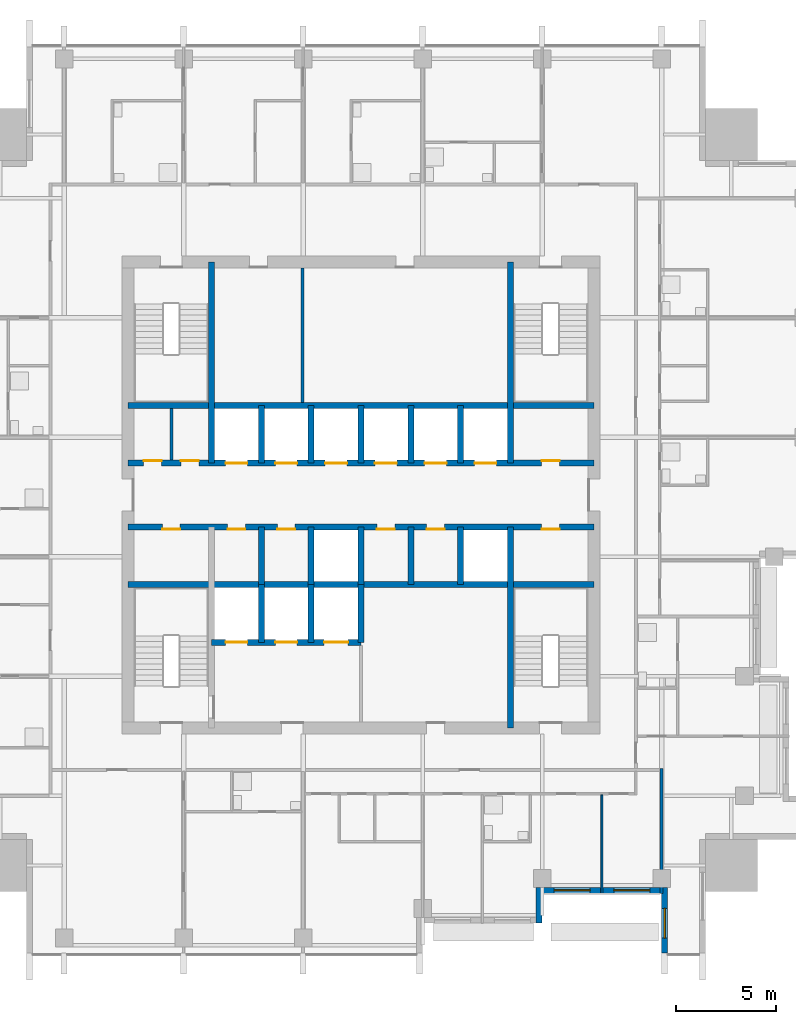
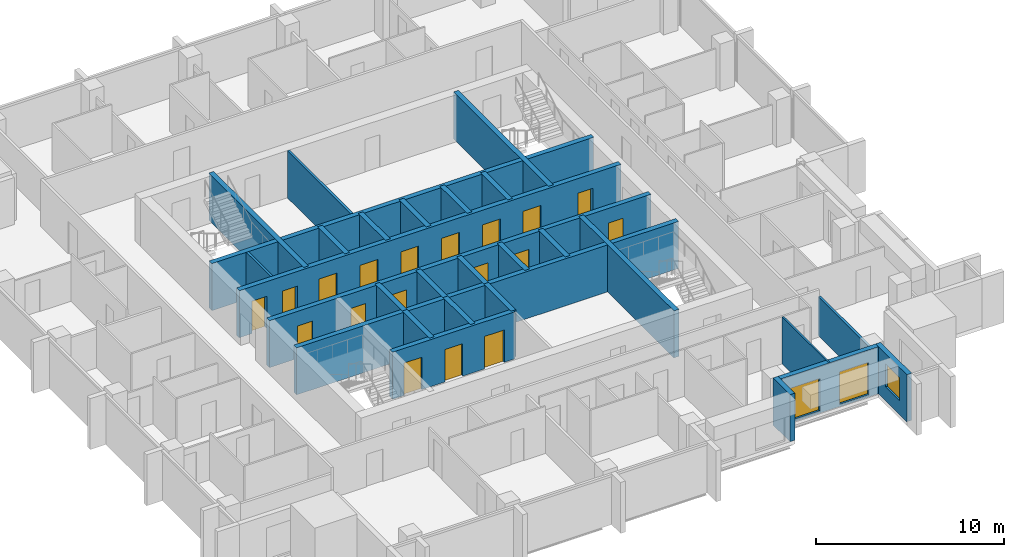
# One storey, part 5 of 10: 28 walls, 18 doors, 3 windows, 21 openings.
"""IFC4 building model written with IfcOpenShell, lengths in metres."""

from ifc_helpers import new_model, si_unit, direction, frame, frame_2d, origin, place, context, subcontext, project, spatial, rectangle, extrude, material, layer, layer_set, type_object, element, fill, save


model = new_model("IFC4")

# Units and contexts
model_context = context("Model", 3, precision=1e-05, world=origin(), true_north=direction((0.0, 1.0)))
body_context = subcontext(model_context, "Body", "Model", "MODEL_VIEW")
ifc_project = project(units=[si_unit("LENGTHUNIT", "METRE"), si_unit("AREAUNIT", "SQUARE_METRE"), si_unit("VOLUMEUNIT", "CUBIC_METRE"), si_unit("PLANEANGLEUNIT", "RADIAN"), si_unit("MASSUNIT", "GRAM", prefix="KILO")], contexts=[model_context])

# Site, building, storey
site_placement = place(None, origin())
site = spatial("IfcSite", under=ifc_project, at=site_placement, CompositionType="ELEMENT")
building_placement = place(site_placement, origin())
building = spatial("IfcBuilding", under=site, at=building_placement, Name="Amberfall Residences", CompositionType="ELEMENT")
storey_placement = place(building_placement, frame((0.0, 0.0, 203.5)))
storey = spatial("IfcBuildingStorey", under=building, at=storey_placement, Name="L54", CompositionType="ELEMENT", Elevation=203.5)

# Wall
ifc_material_1 = material(Name="Pale stone cladding on insulated backing", Category="masonry")
ifc_layer_1 = layer(ifc_material_1, 0.300048828125)
ifc_layer_set_1 = layer_set([ifc_layer_1], Name="Bronze clad wall 300")
wall_type_1 = type_object("IfcWallType", Name="Bronze clad wall 300", PredefinedType="SOLIDWALL", material=ifc_layer_set_1)
wall_1_placement = place(storey_placement, frame((83.449951171875, 24.0, 0.0), z_axis=(0.0, 0.0, 1.0), x_axis=(0.0, 1.0, 0.0)))
element("IfcWall", 1, at=wall_1_placement, inside=storey, type_object=wall_type_1, Name="External wall L54 S", PredefinedType="SOLIDWALL", context=body_context, shape_type="SweptSolid", body=[
    extrude(rectangle(XDim=1.800048828125, YDim=0.300048828125, at=frame_2d((0.89990234375, 0.0))), origin(), (0.0, 0.0, 1.0), 3.050048828125),
])

# Wall, opening, window
wall_2_placement = place(storey_placement, frame((89.75, 25.800048828125, 0.0), z_axis=(0.0, 0.0, 1.0), x_axis=(0.0, -1.0, 0.0)))
wall_2 = element("IfcWall", 2, at=wall_2_placement, inside=storey, type_object=wall_type_1, Name="External wall L54 S", PredefinedType="SOLIDWALL", context=body_context, shape_type="SweptSolid", body=[
    extrude(rectangle(XDim=3.300048828125, YDim=0.300048828125, at=frame_2d((1.64990234375, 0.0))), origin(), (0.0, 0.0, 1.0), 3.050048828125),
])
opening_1_placement = place(wall_2_placement, frame((1.050048828125, 0.0, 0.89990234375)))
opening_1 = element("IfcOpeningElement", 3, at=opening_1_placement, cuts=wall_2, Name="Opening WN1", PredefinedType="OPENING", context=body_context, shape_type="SweptSolid", body=[
    extrude(rectangle(XDim=1.5, YDim=1.5, at=frame_2d((0.75, 0.75))), frame((0.0, 0.159912109375, 0.0), z_axis=(0.0, -1.0, 0.0), x_axis=(1.0, 0.0, 0.0)), (0.0, 0.0, 1.0), 0.320068359375),
])
ifc_material_2 = material(Name="Bronze aluminium framed glazing", Category="aluminium")
window_type_1 = type_object("IfcWindowType", Name="Window 1500 x 1500 bronze", PartitioningType="DOUBLE_PANEL_VERTICAL", PredefinedType="WINDOW", material=ifc_material_2)
window_1_placement = place(opening_1_placement, origin())
window_1 = element("IfcWindow", 4, at=window_1_placement, inside=storey, type_object=window_type_1, Name="Window L54 S", OverallHeight=1.5, OverallWidth=1.5, PartitioningType="DOUBLE_PANEL_VERTICAL", PredefinedType="WINDOW", context=body_context, shape_type="SweptSolid", body=[
    extrude(rectangle(XDim=1.5, YDim=1.5, at=frame_2d((0.75, 0.75))), frame((0.0, 0.030029296875, 0.0), z_axis=(0.0, -1.0, 0.0), x_axis=(1.0, 0.0, 0.0)), (0.0, 0.0, 1.0), 0.06005859375),
])
fill(opening_1, window_1)

# Wall, openings, windows
wall_3_placement = place(storey_placement, frame((83.60009765625, 25.64990234375, 0.0), z_axis=(0.0, 0.0, 1.0), x_axis=(1.0, 0.0, 0.0)))
wall_3 = element("IfcWall", 5, at=wall_3_placement, inside=storey, type_object=wall_type_1, Name="Stone wall L54 S", PredefinedType="SOLIDWALL", context=body_context, shape_type="SweptSolid", body=[
    extrude(rectangle(XDim=6.0, YDim=0.300048828125, at=frame_2d((3.0, 0.0))), origin(), (0.0, 0.0, 1.0), 3.050048828125),
])
opening_2_placement = place(wall_3_placement, frame((0.60009765625, 0.0, 0.14990234375)))
opening_2 = element("IfcOpeningElement", 6, at=opening_2_placement, cuts=wall_3, Name="Opening WN6", PredefinedType="OPENING", context=body_context, shape_type="SweptSolid", body=[
    extrude(rectangle(XDim=1.800048828125, YDim=2.10009765625, at=frame_2d((0.89990234375, 1.050048828125))), frame((0.0, 0.159912109375, 0.0), z_axis=(0.0, -1.0, 0.0), x_axis=(1.0, 0.0, 0.0)), (0.0, 0.0, 1.0), 0.320068359375),
])
opening_3_placement = place(wall_3_placement, frame((3.60009765625, 0.0, 0.14990234375)))
opening_3 = element("IfcOpeningElement", 7, at=opening_3_placement, cuts=wall_3, Name="Opening WN6", PredefinedType="OPENING", context=body_context, shape_type="SweptSolid", body=[
    extrude(rectangle(XDim=1.800048828125, YDim=2.10009765625, at=frame_2d((0.89990234375, 1.050048828125))), frame((0.0, 0.159912109375, 0.0), z_axis=(0.0, -1.0, 0.0), x_axis=(1.0, 0.0, 0.0)), (0.0, 0.0, 1.0), 0.320068359375),
])
window_type_2 = type_object("IfcWindowType", Name="Glazed opening 1800 x 2100 bronze", PartitioningType="DOUBLE_PANEL_VERTICAL", PredefinedType="WINDOW", material=ifc_material_2)
window_2_placement = place(opening_2_placement, origin())
window_2 = element("IfcWindow", 8, at=window_2_placement, inside=storey, type_object=window_type_2, Name="Window L54 S", OverallHeight=2.10009765625, OverallWidth=1.800048828125, PartitioningType="DOUBLE_PANEL_VERTICAL", PredefinedType="WINDOW", context=body_context, shape_type="SweptSolid", body=[
    extrude(rectangle(XDim=1.800048828125, YDim=2.10009765625, at=frame_2d((0.89990234375, 1.050048828125))), frame((0.0, 0.030029296875, 0.0), z_axis=(0.0, -1.0, 0.0), x_axis=(1.0, 0.0, 0.0)), (0.0, 0.0, 1.0), 0.06005859375),
])
fill(opening_2, window_2)
window_3_placement = place(opening_3_placement, origin())
window_3 = element("IfcWindow", 9, at=window_3_placement, inside=storey, type_object=window_type_2, Name="Window L54 S", OverallHeight=2.10009765625, OverallWidth=1.800048828125, PartitioningType="DOUBLE_PANEL_VERTICAL", PredefinedType="WINDOW", context=body_context, shape_type="SweptSolid", body=[
    extrude(rectangle(XDim=1.800048828125, YDim=2.10009765625, at=frame_2d((0.89990234375, 1.050048828125))), frame((0.0, 0.030029296875, 0.0), z_axis=(0.0, -1.0, 0.0), x_axis=(1.0, 0.0, 0.0)), (0.0, 0.0, 1.0), 0.06005859375),
])
fill(opening_3, window_3)

# Wall
ifc_material_3 = material(Name="Concrete C55", Category="concrete")
ifc_layer_2 = layer(ifc_material_3, 0.300048828125)
ifc_layer_set_2 = layer_set([ifc_layer_2], Name="Core wall 300 C55")
wall_type_2 = type_object("IfcWallType", Name="Core wall 300 C55", PredefinedType="SHEAR", material=ifc_layer_set_2)
wall_4_placement = place(storey_placement, frame((62.800048828125, 41.0, 0.0), z_axis=(0.0, 0.0, 1.0), x_axis=(1.0, 0.0, 0.0)))
element("IfcWall", 10, at=wall_4_placement, inside=storey, type_object=wall_type_2, Name="Core wall RW8 L54 H75", PredefinedType="SHEAR", context=body_context, shape_type="SweptSolid", body=[
    extrude(rectangle(XDim=23.39990234375, YDim=0.300048828125, at=frame_2d((11.699951171875, 0.0))), origin(), (0.0, 0.0, 1.0), 3.050048828125),
])

# Wall, openings, doors
wall_5_placement = place(storey_placement, frame((62.800048828125, 43.89990234375, 0.0), z_axis=(0.0, 0.0, 1.0), x_axis=(1.0, 0.0, 0.0)))
wall_5 = element("IfcWall", 11, at=wall_5_placement, inside=storey, type_object=wall_type_2, Name="Core wall RW8 L54 H104", PredefinedType="SHEAR", context=body_context, shape_type="SweptSolid", body=[
    extrude(rectangle(XDim=23.39990234375, YDim=0.300048828125, at=frame_2d((11.699951171875, 0.0))), origin(), (0.0, 0.0, 1.0), 3.050048828125),
])
opening_4_placement = place(wall_5_placement, frame((1.72509765625, 0.0, 0.0)))
opening_4 = element("IfcOpeningElement", 12, at=opening_4_placement, cuts=wall_5, Name="Opening RD1", PredefinedType="OPENING", context=body_context, shape_type="SweptSolid", body=[
    extrude(rectangle(XDim=0.89990234375, YDim=2.10009765625, at=frame_2d((0.449951171875, 1.050048828125))), frame((0.0, 0.159912109375, 0.0), z_axis=(0.0, -1.0, 0.0), x_axis=(1.0, 0.0, 0.0)), (0.0, 0.0, 1.0), 0.320068359375),
])
opening_5_placement = place(wall_5_placement, frame((20.77490234375, 0.0, 0.0)))
opening_5 = element("IfcOpeningElement", 13, at=opening_5_placement, cuts=wall_5, Name="Opening RD1", PredefinedType="OPENING", context=body_context, shape_type="SweptSolid", body=[
    extrude(rectangle(XDim=0.89990234375, YDim=2.10009765625, at=frame_2d((0.449951171875, 1.050048828125))), frame((0.0, 0.159912109375, 0.0), z_axis=(0.0, -1.0, 0.0), x_axis=(1.0, 0.0, 0.0)), (0.0, 0.0, 1.0), 0.320068359375),
])
opening_6_placement = place(wall_5_placement, frame((5.0, 0.0, 0.0)))
opening_6 = element("IfcOpeningElement", 14, at=opening_6_placement, cuts=wall_5, Name="Opening RD1", PredefinedType="OPENING", context=body_context, shape_type="SweptSolid", body=[
    extrude(rectangle(XDim=0.89990234375, YDim=2.10009765625, at=frame_2d((0.449951171875, 1.050048828125))), frame((0.0, 0.159912109375, 0.0), z_axis=(0.0, -1.0, 0.0), x_axis=(1.0, 0.0, 0.0)), (0.0, 0.0, 1.0), 0.320068359375),
])
opening_7_placement = place(wall_5_placement, frame((7.5, 0.0, 0.0)))
opening_7 = element("IfcOpeningElement", 15, at=opening_7_placement, cuts=wall_5, Name="Opening RD1", PredefinedType="OPENING", context=body_context, shape_type="SweptSolid", body=[
    extrude(rectangle(XDim=0.89990234375, YDim=2.10009765625, at=frame_2d((0.449951171875, 1.050048828125))), frame((0.0, 0.159912109375, 0.0), z_axis=(0.0, -1.0, 0.0), x_axis=(1.0, 0.0, 0.0)), (0.0, 0.0, 1.0), 0.320068359375),
])
opening_8_placement = place(wall_5_placement, frame((12.5, 0.0, 0.0)))
opening_8 = element("IfcOpeningElement", 16, at=opening_8_placement, cuts=wall_5, Name="Opening RD1", PredefinedType="OPENING", context=body_context, shape_type="SweptSolid", body=[
    extrude(rectangle(XDim=0.89990234375, YDim=2.10009765625, at=frame_2d((0.449951171875, 1.050048828125))), frame((0.0, 0.159912109375, 0.0), z_axis=(0.0, -1.0, 0.0), x_axis=(1.0, 0.0, 0.0)), (0.0, 0.0, 1.0), 0.320068359375),
])
opening_9_placement = place(wall_5_placement, frame((15.0, 0.0, 0.0)))
opening_9 = element("IfcOpeningElement", 17, at=opening_9_placement, cuts=wall_5, Name="Opening RD1", PredefinedType="OPENING", context=body_context, shape_type="SweptSolid", body=[
    extrude(rectangle(XDim=0.89990234375, YDim=2.10009765625, at=frame_2d((0.449951171875, 1.050048828125))), frame((0.0, 0.159912109375, 0.0), z_axis=(0.0, -1.0, 0.0), x_axis=(1.0, 0.0, 0.0)), (0.0, 0.0, 1.0), 0.320068359375),
])
ifc_material_4 = material(Name="Steel fire door set", Category="steel")
door_type_1 = type_object("IfcDoorType", Name="Service room door 900 x 2100", OperationType="SINGLE_SWING_LEFT", PredefinedType="DOOR", material=ifc_material_4)
door_1_placement = place(opening_4_placement, origin())
door_1 = element("IfcDoor", 18, at=door_1_placement, inside=storey, type_object=door_type_1, Name="RD1 L54", OperationType="SINGLE_SWING_LEFT", OverallHeight=2.10009765625, OverallWidth=0.89990234375, PredefinedType="DOOR", context=body_context, shape_type="SweptSolid", body=[
    extrude(rectangle(XDim=0.89990234375, YDim=2.10009765625, at=frame_2d((0.449951171875, 1.050048828125))), frame((0.0, -0.08740234375, 0.0), z_axis=(0.0, -1.0, 0.0), x_axis=(1.0, 0.0, 0.0)), (0.0, 0.0, 1.0), 0.050048828125),
])
fill(opening_4, door_1)
door_2_placement = place(opening_5_placement, origin())
door_2 = element("IfcDoor", 19, at=door_2_placement, inside=storey, type_object=door_type_1, Name="RD1 L54", OperationType="SINGLE_SWING_LEFT", OverallHeight=2.10009765625, OverallWidth=0.89990234375, PredefinedType="DOOR", context=body_context, shape_type="SweptSolid", body=[
    extrude(rectangle(XDim=0.89990234375, YDim=2.10009765625, at=frame_2d((0.449951171875, 1.050048828125))), frame((0.0, -0.08740234375, 0.0), z_axis=(0.0, -1.0, 0.0), x_axis=(1.0, 0.0, 0.0)), (0.0, 0.0, 1.0), 0.050048828125),
])
fill(opening_5, door_2)
door_3_placement = place(opening_6_placement, origin())
door_3 = element("IfcDoor", 20, at=door_3_placement, inside=storey, type_object=door_type_1, Name="RD1 L54", OperationType="SINGLE_SWING_RIGHT", OverallHeight=2.10009765625, OverallWidth=0.89990234375, PredefinedType="DOOR", context=body_context, shape_type="SweptSolid", body=[
    extrude(rectangle(XDim=0.89990234375, YDim=2.10009765625, at=frame_2d((0.449951171875, 1.050048828125))), frame((0.0, -0.08740234375, 0.0), z_axis=(0.0, -1.0, 0.0), x_axis=(1.0, 0.0, 0.0)), (0.0, 0.0, 1.0), 0.050048828125),
])
fill(opening_6, door_3)
door_4_placement = place(opening_7_placement, origin())
door_4 = element("IfcDoor", 21, at=door_4_placement, inside=storey, type_object=door_type_1, Name="RD1 L54", OperationType="SINGLE_SWING_LEFT", OverallHeight=2.10009765625, OverallWidth=0.89990234375, PredefinedType="DOOR", context=body_context, shape_type="SweptSolid", body=[
    extrude(rectangle(XDim=0.89990234375, YDim=2.10009765625, at=frame_2d((0.449951171875, 1.050048828125))), frame((0.0, -0.08740234375, 0.0), z_axis=(0.0, -1.0, 0.0), x_axis=(1.0, 0.0, 0.0)), (0.0, 0.0, 1.0), 0.050048828125),
])
fill(opening_7, door_4)
door_5_placement = place(opening_8_placement, origin())
door_5 = element("IfcDoor", 22, at=door_5_placement, inside=storey, type_object=door_type_1, Name="RD1 L54", OperationType="SINGLE_SWING_LEFT", OverallHeight=2.10009765625, OverallWidth=0.89990234375, PredefinedType="DOOR", context=body_context, shape_type="SweptSolid", body=[
    extrude(rectangle(XDim=0.89990234375, YDim=2.10009765625, at=frame_2d((0.449951171875, 1.050048828125))), frame((0.0, -0.08740234375, 0.0), z_axis=(0.0, -1.0, 0.0), x_axis=(1.0, 0.0, 0.0)), (0.0, 0.0, 1.0), 0.050048828125),
])
fill(opening_8, door_5)
door_6_placement = place(opening_9_placement, origin())
door_6 = element("IfcDoor", 23, at=door_6_placement, inside=storey, type_object=door_type_1, Name="RD1 L54", OperationType="SINGLE_SWING_RIGHT", OverallHeight=2.10009765625, OverallWidth=0.89990234375, PredefinedType="DOOR", context=body_context, shape_type="SweptSolid", body=[
    extrude(rectangle(XDim=0.89990234375, YDim=2.10009765625, at=frame_2d((0.449951171875, 1.050048828125))), frame((0.0, -0.08740234375, 0.0), z_axis=(0.0, -1.0, 0.0), x_axis=(1.0, 0.0, 0.0)), (0.0, 0.0, 1.0), 0.050048828125),
])
fill(opening_9, door_6)

wall_6_placement = place(storey_placement, frame((62.800048828125, 47.10009765625, 0.0), z_axis=(0.0, 0.0, 1.0), x_axis=(1.0, 0.0, 0.0)))
wall_6 = element("IfcWall", 24, at=wall_6_placement, inside=storey, type_object=wall_type_2, Name="Core wall RW8 L54 H136", PredefinedType="SHEAR", context=body_context, shape_type="SweptSolid", body=[
    extrude(rectangle(XDim=23.39990234375, YDim=0.300048828125, at=frame_2d((11.699951171875, 0.0))), origin(), (0.0, 0.0, 1.0), 3.050048828125),
])
opening_10_placement = place(wall_6_placement, frame((0.78759765625, 0.0, 0.0)))
opening_10 = element("IfcOpeningElement", 25, at=opening_10_placement, cuts=wall_6, Name="Opening RD1", PredefinedType="OPENING", context=body_context, shape_type="SweptSolid", body=[
    extrude(rectangle(XDim=0.89990234375, YDim=2.10009765625, at=frame_2d((0.449951171875, 1.050048828125))), frame((0.0, 0.159912109375, 0.0), z_axis=(0.0, -1.0, 0.0), x_axis=(1.0, 0.0, 0.0)), (0.0, 0.0, 1.0), 0.320068359375),
])
opening_11_placement = place(wall_6_placement, frame((2.66259765625, 0.0, 0.0)))
opening_11 = element("IfcOpeningElement", 26, at=opening_11_placement, cuts=wall_6, Name="Opening RD1", PredefinedType="OPENING", context=body_context, shape_type="SweptSolid", body=[
    extrude(rectangle(XDim=0.89990234375, YDim=2.10009765625, at=frame_2d((0.449951171875, 1.050048828125))), frame((0.0, 0.159912109375, 0.0), z_axis=(0.0, -1.0, 0.0), x_axis=(1.0, 0.0, 0.0)), (0.0, 0.0, 1.0), 0.320068359375),
])
opening_12_placement = place(wall_6_placement, frame((20.77490234375, 0.0, 0.0)))
opening_12 = element("IfcOpeningElement", 27, at=opening_12_placement, cuts=wall_6, Name="Opening RD1", PredefinedType="OPENING", context=body_context, shape_type="SweptSolid", body=[
    extrude(rectangle(XDim=0.89990234375, YDim=2.10009765625, at=frame_2d((0.449951171875, 1.050048828125))), frame((0.0, 0.159912109375, 0.0), z_axis=(0.0, -1.0, 0.0), x_axis=(1.0, 0.0, 0.0)), (0.0, 0.0, 1.0), 0.320068359375),
])
opening_13_placement = place(wall_6_placement, frame((4.89990234375, 0.0, 0.0)))
opening_13 = element("IfcOpeningElement", 28, at=opening_13_placement, cuts=wall_6, Name="Opening LD1", PredefinedType="OPENING", context=body_context, shape_type="SweptSolid", body=[
    extrude(rectangle(XDim=1.10009765625, YDim=2.10009765625, at=frame_2d((0.550048828125, 1.050048828125))), frame((0.0, 0.159912109375, 0.0), z_axis=(0.0, -1.0, 0.0), x_axis=(1.0, 0.0, 0.0)), (0.0, 0.0, 1.0), 0.320068359375),
])
opening_14_placement = place(wall_6_placement, frame((7.39990234375, 0.0, 0.0)))
opening_14 = element("IfcOpeningElement", 29, at=opening_14_placement, cuts=wall_6, Name="Opening LD1", PredefinedType="OPENING", context=body_context, shape_type="SweptSolid", body=[
    extrude(rectangle(XDim=1.10009765625, YDim=2.10009765625, at=frame_2d((0.550048828125, 1.050048828125))), frame((0.0, 0.159912109375, 0.0), z_axis=(0.0, -1.0, 0.0), x_axis=(1.0, 0.0, 0.0)), (0.0, 0.0, 1.0), 0.320068359375),
])
opening_15_placement = place(wall_6_placement, frame((9.89990234375, 0.0, 0.0)))
opening_15 = element("IfcOpeningElement", 30, at=opening_15_placement, cuts=wall_6, Name="Opening LD1", PredefinedType="OPENING", context=body_context, shape_type="SweptSolid", body=[
    extrude(rectangle(XDim=1.10009765625, YDim=2.10009765625, at=frame_2d((0.550048828125, 1.050048828125))), frame((0.0, 0.159912109375, 0.0), z_axis=(0.0, -1.0, 0.0), x_axis=(1.0, 0.0, 0.0)), (0.0, 0.0, 1.0), 0.320068359375),
])
opening_16_placement = place(wall_6_placement, frame((12.39990234375, 0.0, 0.0)))
opening_16 = element("IfcOpeningElement", 31, at=opening_16_placement, cuts=wall_6, Name="Opening LD1", PredefinedType="OPENING", context=body_context, shape_type="SweptSolid", body=[
    extrude(rectangle(XDim=1.10009765625, YDim=2.10009765625, at=frame_2d((0.550048828125, 1.050048828125))), frame((0.0, 0.159912109375, 0.0), z_axis=(0.0, -1.0, 0.0), x_axis=(1.0, 0.0, 0.0)), (0.0, 0.0, 1.0), 0.320068359375),
])
opening_17_placement = place(wall_6_placement, frame((14.89990234375, 0.0, 0.0)))
opening_17 = element("IfcOpeningElement", 32, at=opening_17_placement, cuts=wall_6, Name="Opening LD1", PredefinedType="OPENING", context=body_context, shape_type="SweptSolid", body=[
    extrude(rectangle(XDim=1.10009765625, YDim=2.10009765625, at=frame_2d((0.550048828125, 1.050048828125))), frame((0.0, 0.159912109375, 0.0), z_axis=(0.0, -1.0, 0.0), x_axis=(1.0, 0.0, 0.0)), (0.0, 0.0, 1.0), 0.320068359375),
])
opening_18_placement = place(wall_6_placement, frame((17.39990234375, 0.0, 0.0)))
opening_18 = element("IfcOpeningElement", 33, at=opening_18_placement, cuts=wall_6, Name="Opening LD1", PredefinedType="OPENING", context=body_context, shape_type="SweptSolid", body=[
    extrude(rectangle(XDim=1.10009765625, YDim=2.10009765625, at=frame_2d((0.550048828125, 1.050048828125))), frame((0.0, 0.159912109375, 0.0), z_axis=(0.0, -1.0, 0.0), x_axis=(1.0, 0.0, 0.0)), (0.0, 0.0, 1.0), 0.320068359375),
])
door_type_2 = type_object("IfcDoorType", Name="Lift landing door 1100 x 2100", OperationType="DOUBLE_DOOR_SLIDING", PredefinedType="DOOR", material=ifc_material_4)
door_7_placement = place(opening_13_placement, origin())
door_7 = element("IfcDoor", 34, at=door_7_placement, inside=storey, type_object=door_type_2, Name="Landing door HP1 L54", OperationType="DOUBLE_DOOR_SLIDING", OverallHeight=2.10009765625, OverallWidth=1.10009765625, PredefinedType="DOOR", context=body_context, shape_type="SweptSolid", body=[
    extrude(rectangle(XDim=1.10009765625, YDim=2.10009765625, at=frame_2d((0.550048828125, 1.050048828125))), frame((0.0, 0.02490234375, 0.0), z_axis=(0.0, -1.0, 0.0), x_axis=(1.0, 0.0, 0.0)), (0.0, 0.0, 1.0), 0.050048828125),
])
fill(opening_13, door_7)
door_8_placement = place(opening_14_placement, origin())
door_8 = element("IfcDoor", 35, at=door_8_placement, inside=storey, type_object=door_type_2, Name="Landing door HP2 L54", OperationType="DOUBLE_DOOR_SLIDING", OverallHeight=2.10009765625, OverallWidth=1.10009765625, PredefinedType="DOOR", context=body_context, shape_type="SweptSolid", body=[
    extrude(rectangle(XDim=1.10009765625, YDim=2.10009765625, at=frame_2d((0.550048828125, 1.050048828125))), frame((0.0, 0.02490234375, 0.0), z_axis=(0.0, -1.0, 0.0), x_axis=(1.0, 0.0, 0.0)), (0.0, 0.0, 1.0), 0.050048828125),
])
fill(opening_14, door_8)
door_9_placement = place(opening_15_placement, origin())
door_9 = element("IfcDoor", 36, at=door_9_placement, inside=storey, type_object=door_type_2, Name="Landing door HP3 L54", OperationType="DOUBLE_DOOR_SLIDING", OverallHeight=2.10009765625, OverallWidth=1.10009765625, PredefinedType="DOOR", context=body_context, shape_type="SweptSolid", body=[
    extrude(rectangle(XDim=1.10009765625, YDim=2.10009765625, at=frame_2d((0.550048828125, 1.050048828125))), frame((0.0, 0.02490234375, 0.0), z_axis=(0.0, -1.0, 0.0), x_axis=(1.0, 0.0, 0.0)), (0.0, 0.0, 1.0), 0.050048828125),
])
fill(opening_15, door_9)
door_10_placement = place(opening_16_placement, origin())
door_10 = element("IfcDoor", 37, at=door_10_placement, inside=storey, type_object=door_type_2, Name="Landing door HP4 L54", OperationType="DOUBLE_DOOR_SLIDING", OverallHeight=2.10009765625, OverallWidth=1.10009765625, PredefinedType="DOOR", context=body_context, shape_type="SweptSolid", body=[
    extrude(rectangle(XDim=1.10009765625, YDim=2.10009765625, at=frame_2d((0.550048828125, 1.050048828125))), frame((0.0, 0.02490234375, 0.0), z_axis=(0.0, -1.0, 0.0), x_axis=(1.0, 0.0, 0.0)), (0.0, 0.0, 1.0), 0.050048828125),
])
fill(opening_16, door_10)
door_11_placement = place(opening_17_placement, origin())
door_11 = element("IfcDoor", 38, at=door_11_placement, inside=storey, type_object=door_type_2, Name="Landing door HP5 L54", OperationType="DOUBLE_DOOR_SLIDING", OverallHeight=2.10009765625, OverallWidth=1.10009765625, PredefinedType="DOOR", context=body_context, shape_type="SweptSolid", body=[
    extrude(rectangle(XDim=1.10009765625, YDim=2.10009765625, at=frame_2d((0.550048828125, 1.050048828125))), frame((0.0, 0.02490234375, 0.0), z_axis=(0.0, -1.0, 0.0), x_axis=(1.0, 0.0, 0.0)), (0.0, 0.0, 1.0), 0.050048828125),
])
fill(opening_17, door_11)
door_12_placement = place(opening_18_placement, origin())
door_12 = element("IfcDoor", 39, at=door_12_placement, inside=storey, type_object=door_type_2, Name="Landing door HP6 L54", OperationType="DOUBLE_DOOR_SLIDING", OverallHeight=2.10009765625, OverallWidth=1.10009765625, PredefinedType="DOOR", context=body_context, shape_type="SweptSolid", body=[
    extrude(rectangle(XDim=1.10009765625, YDim=2.10009765625, at=frame_2d((0.550048828125, 1.050048828125))), frame((0.0, 0.02490234375, 0.0), z_axis=(0.0, -1.0, 0.0), x_axis=(1.0, 0.0, 0.0)), (0.0, 0.0, 1.0), 0.050048828125),
])
fill(opening_18, door_12)
door_13_placement = place(opening_10_placement, origin())
door_13 = element("IfcDoor", 40, at=door_13_placement, inside=storey, type_object=door_type_1, Name="RD1 L54", OperationType="SINGLE_SWING_LEFT", OverallHeight=2.10009765625, OverallWidth=0.89990234375, PredefinedType="DOOR", context=body_context, shape_type="SweptSolid", body=[
    extrude(rectangle(XDim=0.89990234375, YDim=2.10009765625, at=frame_2d((0.449951171875, 1.050048828125))), frame((0.0, 0.1376953125, 0.0), z_axis=(0.0, -1.0, 0.0), x_axis=(1.0, 0.0, 0.0)), (0.0, 0.0, 1.0), 0.050048828125),
])
fill(opening_10, door_13)
door_14_placement = place(opening_11_placement, origin())
door_14 = element("IfcDoor", 41, at=door_14_placement, inside=storey, type_object=door_type_1, Name="RD1 L54", OperationType="SINGLE_SWING_RIGHT", OverallHeight=2.10009765625, OverallWidth=0.89990234375, PredefinedType="DOOR", context=body_context, shape_type="SweptSolid", body=[
    extrude(rectangle(XDim=0.89990234375, YDim=2.10009765625, at=frame_2d((0.449951171875, 1.050048828125))), frame((0.0, 0.1376953125, 0.0), z_axis=(0.0, -1.0, 0.0), x_axis=(1.0, 0.0, 0.0)), (0.0, 0.0, 1.0), 0.050048828125),
])
fill(opening_11, door_14)
door_15_placement = place(opening_12_placement, origin())
door_15 = element("IfcDoor", 42, at=door_15_placement, inside=storey, type_object=door_type_1, Name="RD1 L54", OperationType="SINGLE_SWING_LEFT", OverallHeight=2.10009765625, OverallWidth=0.89990234375, PredefinedType="DOOR", context=body_context, shape_type="SweptSolid", body=[
    extrude(rectangle(XDim=0.89990234375, YDim=2.10009765625, at=frame_2d((0.449951171875, 1.050048828125))), frame((0.0, 0.1376953125, 0.0), z_axis=(0.0, -1.0, 0.0), x_axis=(1.0, 0.0, 0.0)), (0.0, 0.0, 1.0), 0.050048828125),
])
fill(opening_12, door_15)

# Walls
wall_7_placement = place(storey_placement, frame((62.800048828125, 50.0, 0.0), z_axis=(0.0, 0.0, 1.0), x_axis=(1.0, 0.0, 0.0)))
element("IfcWall", 43, at=wall_7_placement, inside=storey, type_object=wall_type_2, Name="Core wall RW8 L54 H165", PredefinedType="SHEAR", context=body_context, shape_type="SweptSolid", body=[
    extrude(rectangle(XDim=23.39990234375, YDim=0.300048828125, at=frame_2d((11.699951171875, 0.0))), origin(), (0.0, 0.0, 1.0), 3.050048828125),
])
for number, where, z_axis, x_axis, name in (
    (44, (67.0, 47.10009765625, 0.0), (0.0, 0.0, 1.0), (0.0, 1.0, 0.0), "Core wall RW8 L54 V45N"),
    (45, (82.0, 33.800048828125, 0.0), (0.0, 0.0, 1.0), (0.0, 1.0, 0.0), "Core wall RW8 L54 V195S"),
    (46, (82.0, 47.10009765625, 0.0), (0.0, 0.0, 1.0), (0.0, 1.0, 0.0), "Core wall RW8 L54 V195N"),
):
    element("IfcWall", number, at=place(storey_placement, frame(where, z_axis=z_axis, x_axis=x_axis)), inside=storey, type_object=wall_type_2, Name=name, PredefinedType="SHEAR", context=body_context, shape_type="SweptSolid", body=[
        extrude(rectangle(XDim=10.099853515625, YDim=0.300048828125, at=frame_2d((5.0498046875, 0.0))), origin(), (0.0, 0.0, 1.0), 3.050048828125),
    ])
for number, where, z_axis, x_axis, name in (
    (47, (69.5, 41.0, 0.0), (0.0, 0.0, 1.0), (0.0, 1.0, 0.0), "Core wall RW8 L54 LPD1"),
    (48, (69.5, 47.10009765625, 0.0), (0.0, 0.0, 1.0), (0.0, 1.0, 0.0), "Core wall RW8 L54 HPD1"),
    (49, (72.0, 41.0, 0.0), (0.0, 0.0, 1.0), (0.0, 1.0, 0.0), "Core wall RW8 L54 LPD2"),
    (50, (72.0, 47.10009765625, 0.0), (0.0, 0.0, 1.0), (0.0, 1.0, 0.0), "Core wall RW8 L54 HPD2"),
    (51, (74.5, 41.0, 0.0), (0.0, 0.0, 1.0), (0.0, 1.0, 0.0), "Core wall RW8 L54 LPD3"),
    (52, (74.5, 47.10009765625, 0.0), (0.0, 0.0, 1.0), (0.0, 1.0, 0.0), "Core wall RW8 L54 HPD3"),
    (53, (77.0, 41.0, 0.0), (0.0, 0.0, 1.0), (0.0, 1.0, 0.0), "Core wall RW8 L54 LPD4"),
    (54, (77.0, 47.10009765625, 0.0), (0.0, 0.0, 1.0), (0.0, 1.0, 0.0), "Core wall RW8 L54 HPD4"),
    (55, (79.5, 41.0, 0.0), (0.0, 0.0, 1.0), (0.0, 1.0, 0.0), "Core wall RW8 L54 LPD5"),
    (56, (79.5, 47.10009765625, 0.0), (0.0, 0.0, 1.0), (0.0, 1.0, 0.0), "Core wall RW8 L54 HPD5"),
):
    element("IfcWall", number, at=place(storey_placement, frame(where, z_axis=z_axis, x_axis=x_axis)), inside=storey, type_object=wall_type_2, Name=name, PredefinedType="SHEAR", context=body_context, shape_type="SweptSolid", body=[
        extrude(rectangle(XDim=2.89990234375, YDim=0.300048828125, at=frame_2d((1.449951171875, 0.0))), origin(), (0.0, 0.0, 1.0), 3.050048828125),
    ])

# Wall, openings, doors
wall_8_placement = place(storey_placement, frame((67.0, 38.10009765625, 0.0), z_axis=(0.0, 0.0, 1.0), x_axis=(1.0, 0.0, 0.0)))
wall_8 = element("IfcWall", 57, at=wall_8_placement, inside=storey, type_object=wall_type_2, Name="Core wall RW8 L54 FFF", PredefinedType="SHEAR", context=body_context, shape_type="SweptSolid", body=[
    extrude(rectangle(XDim=7.5, YDim=0.300048828125, at=frame_2d((3.75, 0.0))), origin(), (0.0, 0.0, 1.0), 3.050048828125),
])
opening_19_placement = place(wall_8_placement, frame((0.699951171875, 0.0, 0.0)))
opening_19 = element("IfcOpeningElement", 58, at=opening_19_placement, cuts=wall_8, Name="Opening LD2", PredefinedType="OPENING", context=body_context, shape_type="SweptSolid", body=[
    extrude(rectangle(XDim=1.10009765625, YDim=2.10009765625, at=frame_2d((0.550048828125, 1.050048828125))), frame((0.0, 0.159912109375, 0.0), z_axis=(0.0, -1.0, 0.0), x_axis=(1.0, 0.0, 0.0)), (0.0, 0.0, 1.0), 0.320068359375),
])
opening_20_placement = place(wall_8_placement, frame((3.199951171875, 0.0, 0.0)))
opening_20 = element("IfcOpeningElement", 59, at=opening_20_placement, cuts=wall_8, Name="Opening LD2", PredefinedType="OPENING", context=body_context, shape_type="SweptSolid", body=[
    extrude(rectangle(XDim=1.10009765625, YDim=2.10009765625, at=frame_2d((0.550048828125, 1.050048828125))), frame((0.0, 0.159912109375, 0.0), z_axis=(0.0, -1.0, 0.0), x_axis=(1.0, 0.0, 0.0)), (0.0, 0.0, 1.0), 0.320068359375),
])
opening_21_placement = place(wall_8_placement, frame((5.64990234375, 0.0, 0.0)))
opening_21 = element("IfcOpeningElement", 60, at=opening_21_placement, cuts=wall_8, Name="Opening LD3", PredefinedType="OPENING", context=body_context, shape_type="SweptSolid", body=[
    extrude(rectangle(XDim=1.199951171875, YDim=2.10009765625, at=frame_2d((0.60009765625, 1.050048828125))), frame((0.0, 0.159912109375, 0.0), z_axis=(0.0, -1.0, 0.0), x_axis=(1.0, 0.0, 0.0)), (0.0, 0.0, 1.0), 0.320068359375),
])
door_type_3 = type_object("IfcDoorType", Name="Firefighting lift landing door 1100 x 2100", OperationType="DOUBLE_DOOR_SLIDING", PredefinedType="DOOR", material=ifc_material_4)
door_16_placement = place(opening_19_placement, origin())
door_16 = element("IfcDoor", 61, at=door_16_placement, inside=storey, type_object=door_type_3, Name="Landing door FF1 L54", OperationType="DOUBLE_DOOR_SLIDING", OverallHeight=2.10009765625, OverallWidth=1.10009765625, PredefinedType="DOOR", context=body_context, shape_type="SweptSolid", body=[
    extrude(rectangle(XDim=1.10009765625, YDim=2.10009765625, at=frame_2d((0.550048828125, 1.050048828125))), frame((0.0, 0.02490234375, 0.0), z_axis=(0.0, -1.0, 0.0), x_axis=(1.0, 0.0, 0.0)), (0.0, 0.0, 1.0), 0.050048828125),
])
fill(opening_19, door_16)
door_17_placement = place(opening_20_placement, origin())
door_17 = element("IfcDoor", 62, at=door_17_placement, inside=storey, type_object=door_type_3, Name="Landing door FF2 L54", OperationType="DOUBLE_DOOR_SLIDING", OverallHeight=2.10009765625, OverallWidth=1.10009765625, PredefinedType="DOOR", context=body_context, shape_type="SweptSolid", body=[
    extrude(rectangle(XDim=1.10009765625, YDim=2.10009765625, at=frame_2d((0.550048828125, 1.050048828125))), frame((0.0, 0.02490234375, 0.0), z_axis=(0.0, -1.0, 0.0), x_axis=(1.0, 0.0, 0.0)), (0.0, 0.0, 1.0), 0.050048828125),
])
fill(opening_20, door_17)
door_type_4 = type_object("IfcDoorType", Name="Service lift landing door 1200 x 2100", OperationType="DOUBLE_DOOR_SLIDING", PredefinedType="DOOR", material=ifc_material_4)
door_18_placement = place(opening_21_placement, origin())
door_18 = element("IfcDoor", 63, at=door_18_placement, inside=storey, type_object=door_type_4, Name="Landing door SL1 L54", OperationType="DOUBLE_DOOR_SLIDING", OverallHeight=2.10009765625, OverallWidth=1.199951171875, PredefinedType="DOOR", context=body_context, shape_type="SweptSolid", body=[
    extrude(rectangle(XDim=1.199951171875, YDim=2.10009765625, at=frame_2d((0.60009765625, 1.050048828125))), frame((0.0, 0.02490234375, 0.0), z_axis=(0.0, -1.0, 0.0), x_axis=(1.0, 0.0, 0.0)), (0.0, 0.0, 1.0), 0.050048828125),
])
fill(opening_21, door_18)

# Walls
for number, where, z_axis, x_axis, name in (
    (64, (69.5, 38.10009765625, 0.0), (0.0, 0.0, 1.0), (0.0, 1.0, 0.0), "Core wall RW8 L54 FFD1"),
    (65, (72.0, 38.10009765625, 0.0), (0.0, 0.0, 1.0), (0.0, 1.0, 0.0), "Core wall RW8 L54 FFD2"),
    (66, (74.5, 38.10009765625, 0.0), (0.0, 0.0, 1.0), (0.0, 1.0, 0.0), "Core wall RW8 L54 FFD3"),
):
    element("IfcWall", number, at=place(storey_placement, frame(where, z_axis=z_axis, x_axis=x_axis)), inside=storey, type_object=wall_type_2, Name=name, PredefinedType="SHEAR", context=body_context, shape_type="SweptSolid", body=[
        extrude(rectangle(XDim=2.89990234375, YDim=0.300048828125, at=frame_2d((1.449951171875, 0.0))), origin(), (0.0, 0.0, 1.0), 3.050048828125),
    ])
ifc_material_5 = material(Name="Gypsum board on metal stud")
ifc_layer_3 = layer(ifc_material_5, 0.10009765625)
ifc_layer_set_3 = layer_set([ifc_layer_3], Name="Flat partition 100")
wall_type_3 = type_object("IfcWallType", Name="Flat partition 100", PredefinedType="PARTITIONING", material=ifc_layer_set_3)
wall_9_placement = place(storey_placement, frame((86.60009765625, 25.5, 0.0), z_axis=(0.0, 0.0, 1.0), x_axis=(0.0, 1.0, 0.0)))
element("IfcWall", 67, at=wall_9_placement, inside=storey, type_object=wall_type_3, Name="Partition 019", PredefinedType="PARTITIONING", context=body_context, shape_type="SweptSolid", body=[
    extrude(rectangle(XDim=4.949951171875, YDim=0.10009765625, at=frame_2d((2.47509765625, 0.0))), origin(), (0.0, 0.0, 1.0), 3.050048828125),
])
ifc_material_6 = material(Name="Blockwork, plastered", Category="masonry")
ifc_layer_4 = layer(ifc_material_6, 0.14990234375)
ifc_layer_set_4 = layer_set([ifc_layer_4], Name="Flat separating wall 150")
wall_type_4 = type_object("IfcWallType", Name="Flat separating wall 150", PredefinedType="PARTITIONING", material=ifc_layer_set_4)
wall_10_placement = place(storey_placement, frame((89.60009765625, 25.5, 0.0), z_axis=(0.0, 0.0, 1.0), x_axis=(0.0, 1.0, 0.0)))
element("IfcWall", 68, at=wall_10_placement, inside=storey, type_object=wall_type_4, Name="Separating wall 054", PredefinedType="PARTITIONING", context=body_context, shape_type="SweptSolid", body=[
    extrude(rectangle(XDim=6.27490234375, YDim=0.14990234375, at=frame_2d((3.137451171875, 0.0))), origin(), (0.0, 0.0, 1.0), 2.51611328125),
])
ifc_material_7 = material(Name="Concrete blockwork", Category="masonry")
ifc_layer_5 = layer(ifc_material_7, 0.14990234375)
ifc_layer_set_5 = layer_set([ifc_layer_5], Name="Riser wall 150")
wall_type_5 = type_object("IfcWallType", Name="Riser wall 150", PredefinedType="PLUMBINGWALL", material=ifc_layer_set_5)
wall_11_placement = place(storey_placement, frame((64.97509765625, 47.25, 0.0), z_axis=(0.0, 0.0, 1.0), x_axis=(0.0, 1.0, 0.0)))
element("IfcWall", 69, at=wall_11_placement, inside=storey, type_object=wall_type_5, Name="L54 core wall ANW0", PredefinedType="PLUMBINGWALL", context=body_context, shape_type="SweptSolid", body=[
    extrude(rectangle(XDim=2.60009765625, YDim=0.14990234375, at=frame_2d((1.300048828125, 0.0))), origin(), (0.0, 0.0, 1.0), 3.050048828125),
])
wall_12_placement = place(storey_placement, frame((71.56005859375, 50.14990234375, 0.0), z_axis=(0.0, 0.0, 1.0), x_axis=(0.0, 1.0, 0.0)))
element("IfcWall", 70, at=wall_12_placement, inside=storey, type_object=wall_type_5, Name="L54 core wall N0", PredefinedType="PLUMBINGWALL", context=body_context, shape_type="SweptSolid", body=[
    extrude(rectangle(XDim=6.75, YDim=0.14990234375, at=frame_2d((3.375, 0.0))), origin(), (0.0, 0.0, 1.0), 3.050048828125),
])

save(model, "model.ifc")
